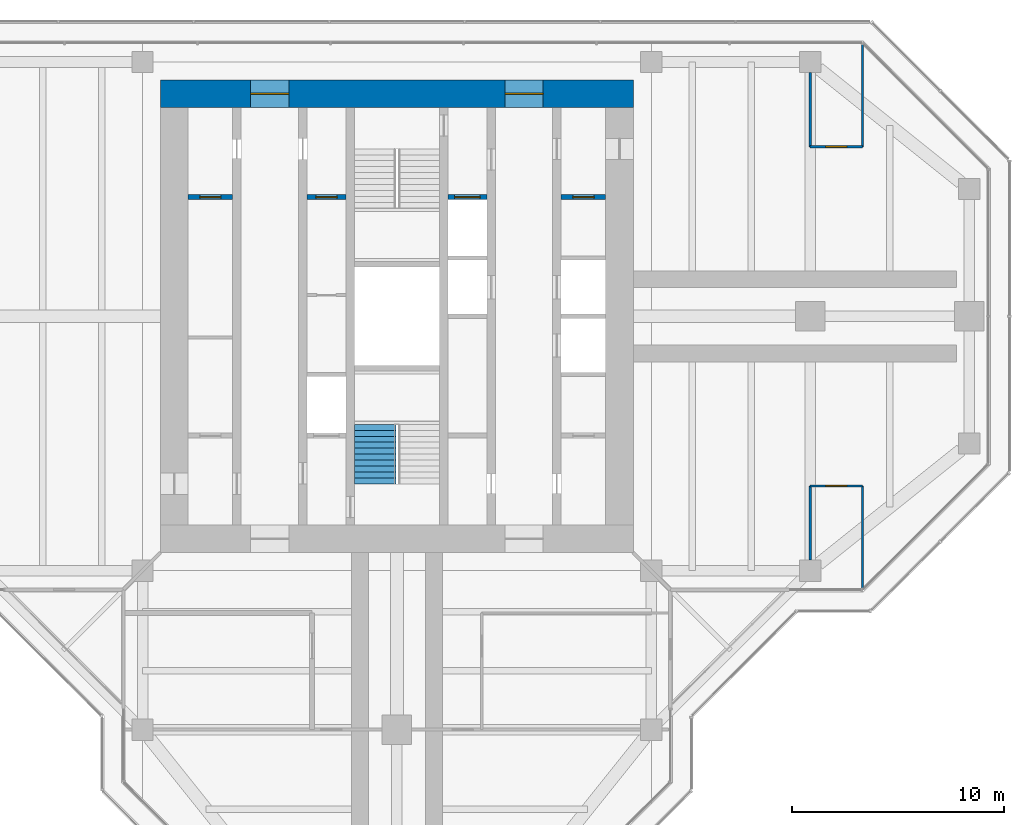
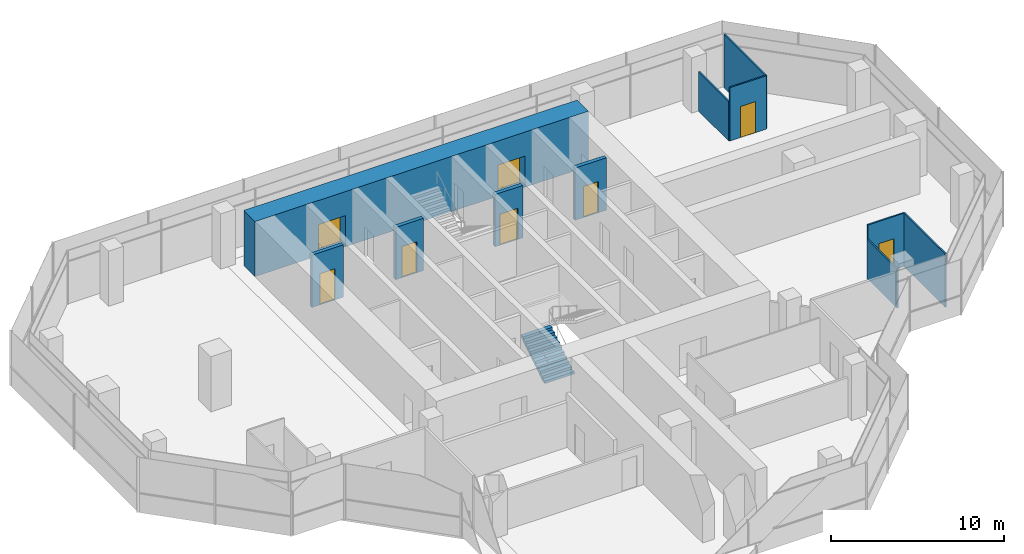
# One storey, part 13 of 15: 11 walls, 8 doors, 1 stair flight, 8 openings, 1 element without a shape of its own.
"""IFC4 building model written with IfcOpenShell, lengths in metres."""

import ifcopenshell
import ifcopenshell.guid

model = None  # the IFC model being written
_history = None  # IfcOwnerHistory: only IFC2X3 demands one
_inside = {}  # id of a spatial element -> (the spatial element, [elements in it])
_under = {}  # id of a project, library or spatial element -> (it, [spatial elements below it])
_declared = {}  # id of a project -> (the project, [libraries it declares])
_typed = {}  # id of a type object -> (the type object, [elements of that type])
_made_of = {}  # id of a material, layer set ... -> (it, [elements and type objects made of it])


def new_model(schema):
    """Start an empty IFC model of exactly this schema.

    Asked for "IFC4X3", IfcOpenShell would pick the latest addendum, in which some entities
    have other attributes; the version numbers below select the first issue.
    IFC2X3 requires an IfcOwnerHistory on every rooted entity: one is made here for all.
    """
    global model, _history
    if schema == "IFC4X3":
        model = ifcopenshell.file(schema_version=(4, 3, 0, 0))
    else:
        model = ifcopenshell.file(schema=schema)
    _inside.clear()
    _under.clear()
    _declared.clear()
    _typed.clear()
    _made_of.clear()
    _history = None
    if model.schema == "IFC2X3":
        org = make("IfcOrganization", Name="unknown")
        user = make(
            "IfcPersonAndOrganization",
            ThePerson=make("IfcPerson", FamilyName="unknown"),
            TheOrganization=org,
        )
        app = make(
            "IfcApplication",
            ApplicationDeveloper=org,
            Version="unknown",
            ApplicationFullName="unknown",
            ApplicationIdentifier="unknown",
        )
        _history = make(
            "IfcOwnerHistory",
            OwningUser=user,
            OwningApplication=app,
            ChangeAction="ADDED",
            CreationDate=0,
        )
    return model


def make(cls, **values):
    """One entity of the class cls with the attributes given. An attribute that is None is left unset."""
    return model.create_entity(
        cls, **{name: value for name, value in values.items() if value is not None}
    )


def rooted(cls, **values):
    """An entity with a GlobalId (a new one), such as an element, a storey or a relation."""
    return make(cls, GlobalId=ifcopenshell.guid.new(), OwnerHistory=_history, **values)


def si_unit(unit_type, name, prefix=None):
    """IfcSIUnit, for example si_unit("LENGTHUNIT", "METRE", prefix="MILLI")."""
    return make("IfcSIUnit", UnitType=unit_type, Prefix=prefix, Name=name)


def assignment(units):
    """IfcUnitAssignment: the units of a project."""
    return None if units is None else make("IfcUnitAssignment", Units=units)


def point(xyz):
    """IfcCartesianPoint."""
    return None if xyz is None else make("IfcCartesianPoint", Coordinates=xyz)


def direction(xyz):
    """IfcDirection."""
    return None if xyz is None else make("IfcDirection", DirectionRatios=xyz)


def frame(location, z_axis=None, x_axis=None):
    """IfcAxis2Placement3D, a coordinate frame: its origin and axes. An axis left out is left unset."""
    return make(
        "IfcAxis2Placement3D",
        Location=point(location),
        Axis=direction(z_axis),
        RefDirection=direction(x_axis),
    )


def frame_2d(location, x_axis=None):
    """IfcAxis2Placement2D, a coordinate frame in the plane: its origin and x axis."""
    return make(
        "IfcAxis2Placement2D", Location=point(location), RefDirection=direction(x_axis)
    )


def origin():
    """The frame at (0, 0, 0) with its axes left unset."""
    return frame((0.0, 0.0, 0.0))


def place(relative_to, where):
    """IfcLocalPlacement: puts the frame where relative to a parent placement (None: the world)."""
    return make(
        "IfcLocalPlacement", PlacementRelTo=relative_to, RelativePlacement=where
    )


def context(
    kind, dimensions, precision=None, world=None, true_north=None, identifier=None
):
    """IfcGeometricRepresentationContext, for example the 3D "Model" context."""
    return make(
        "IfcGeometricRepresentationContext",
        ContextIdentifier=identifier,
        ContextType=kind,
        CoordinateSpaceDimension=dimensions,
        Precision=precision,
        WorldCoordinateSystem=world,
        TrueNorth=true_north,
    )


def subcontext(parent, identifier, kind, view, scale=None):
    """IfcGeometricRepresentationSubContext, for example "Body" below "Model"."""
    return make(
        "IfcGeometricRepresentationSubContext",
        ContextIdentifier=identifier,
        ContextType=kind,
        ParentContext=parent,
        TargetScale=scale,
        TargetView=view,
    )


def project(units=None, contexts=None):
    """IfcProject with its units and contexts."""
    return rooted(
        "IfcProject",
        Name="project",
        RepresentationContexts=contexts,
        UnitsInContext=assignment(units),
    )


def spatial(cls, under=None, at=None, **own):
    """A site, building, storey or space (cls), placed at a placement, below another one or the project."""
    s = rooted(cls, ObjectPlacement=at, **own)
    if under is not None:
        _under.setdefault(under.id(), (under, []))[1].append(s)
    return s


def polyline(points):
    """IfcPolyline through the points."""
    return make("IfcPolyline", Points=[point(p) for p in points])


def profile(cls, at=None, kind="AREA", **sizes):
    """A parametric profile (cls). Its sizes go by their IFC names, for example OverallWidth=200.0."""
    return make(cls, ProfileType=kind, Position=at, **sizes)


def rectangle(**sizes):
    """IfcRectangleProfileDef."""
    return profile("IfcRectangleProfileDef", **sizes)


def outline(outer, holes=None, kind="AREA"):
    """IfcArbitraryClosedProfileDef: a profile drawn as a closed curve; with holes, ...WithVoids."""
    if holes is None:
        return make("IfcArbitraryClosedProfileDef", ProfileType=kind, OuterCurve=outer)
    return make(
        "IfcArbitraryProfileDefWithVoids",
        ProfileType=kind,
        OuterCurve=outer,
        InnerCurves=holes,
    )


def extrude(swept, where, along, depth):
    """IfcExtrudedAreaSolid: the profile swept, set in the frame where, extruded along a direction by depth."""
    return make(
        "IfcExtrudedAreaSolid",
        SweptArea=swept,
        Position=where,
        ExtrudedDirection=direction(along),
        Depth=depth,
    )


def shape(context_of_items, identifier, shape_type, items):
    """IfcShapeRepresentation: the items that make up one representation, for example the "Body"."""
    return make(
        "IfcShapeRepresentation",
        ContextOfItems=context_of_items,
        RepresentationIdentifier=identifier,
        RepresentationType=shape_type,
        Items=items,
    )


def material(Name=None, Category=None):
    """IfcMaterial."""
    return make("IfcMaterial", Name=Name, Category=Category)


def layer(
    of_material, thickness, ventilated=None, Name=None, Category=None, Priority=None
):
    """IfcMaterialLayer: one layer of a wall or slab, of a material (None: an air gap)."""
    return make(
        "IfcMaterialLayer",
        Material=of_material,
        LayerThickness=thickness,
        IsVentilated=ventilated,
        Name=Name,
        Category=Category,
        Priority=Priority,
    )


def layer_set(layers, Name=None):
    """IfcMaterialLayerSet."""
    return make("IfcMaterialLayerSet", MaterialLayers=layers, LayerSetName=Name)


def made_of(thing, what):
    """Note that an element or type object is made of a material, layer set ...; save() writes the relation."""
    if what is not None:
        _made_of.setdefault(what.id(), (what, []))[1].append(thing)
    return thing


def type_object(cls, material=None, **own):
    """A type object (cls), such as IfcWallType, which elements share."""
    return made_of(rooted(cls, **own), material)


def element(
    cls,
    number,
    at=None,
    inside=None,
    cuts=None,
    type_object=None,
    material=None,
    context=None,
    identifier="Body",
    shape_type=None,
    held_by="IfcProductDefinitionShape",
    body=None,
    shapes=None,
    **own,
):
    """One element of the class cls, such as IfcWall. Its Tag is "e" and its number.

    at: its placement. inside: the storey or other place that contains it. cuts: it is an
    opening in that element (IfcRelVoidsElement). A single representation is given by context,
    identifier, shape_type and body (its items); several are given by shapes. held_by: the class
    of the entity that holds the representations. save() writes the other relations.
    """
    e = rooted(cls, Tag="e%d" % number, ObjectPlacement=at, **own)
    if body is not None:
        shapes = [shape(context, identifier, shape_type, body)]
    if shapes is not None:
        e.Representation = make(held_by, Representations=shapes)
    if inside is not None:
        _inside.setdefault(inside.id(), (inside, []))[1].append(e)
    if cuts is not None:
        rooted(
            "IfcRelVoidsElement", RelatingBuildingElement=cuts, RelatedOpeningElement=e
        )
    if type_object is not None:
        _typed.setdefault(type_object.id(), (type_object, []))[1].append(e)
    return made_of(e, material)


def fill(opening, filler):
    """IfcRelFillsElement: the door or window that sits in an opening."""
    return rooted(
        "IfcRelFillsElement",
        RelatingOpeningElement=opening,
        RelatedBuildingElement=filler,
    )


def aggregate(whole, parts):
    """IfcRelAggregates: a whole, such as a stair, and the parts it consists of."""
    return rooted("IfcRelAggregates", RelatingObject=whole, RelatedObjects=parts)


def save(model, path):
    """Write the relations noted so far, then the file.

    IfcRelAggregates (storeys below a building ...), IfcRelContainedInSpatialStructure (elements
    in a storey), IfcRelDefinesByType, IfcRelAssociatesMaterial and IfcRelDeclares: one each for
    every whole, place, type object, material and project.
    """
    for whole, parts in _under.values():
        aggregate(whole, parts)
    for where, things in _inside.values():
        rooted(
            "IfcRelContainedInSpatialStructure",
            RelatedElements=things,
            RelatingStructure=where,
        )
    for kind, things in _typed.values():
        rooted("IfcRelDefinesByType", RelatedObjects=things, RelatingType=kind)
    for what, things in _made_of.values():
        rooted("IfcRelAssociatesMaterial", RelatedObjects=things, RelatingMaterial=what)
    for by, libraries in _declared.values():
        rooted("IfcRelDeclares", RelatingContext=by, RelatedDefinitions=libraries)
    model.write(path)


model = new_model("IFC4")

# Units and contexts
model_context = context("Model", 3, precision=1e-05, world=origin(), true_north=direction((0.0, 1.0)))
body_context = subcontext(model_context, "Body", "Model", "MODEL_VIEW")
ifc_project = project(units=[si_unit("LENGTHUNIT", "METRE"), si_unit("AREAUNIT", "SQUARE_METRE"), si_unit("VOLUMEUNIT", "CUBIC_METRE"), si_unit("PLANEANGLEUNIT", "RADIAN"), si_unit("MASSUNIT", "GRAM", prefix="KILO")], contexts=[model_context])

# Site, building, storey
site_placement = place(None, origin())
site = spatial("IfcSite", under=ifc_project, at=site_placement, CompositionType="ELEMENT")
building_placement = place(site_placement, origin())
building = spatial("IfcBuilding", under=site, at=building_placement, Name="Mizan Broadcast Tower", CompositionType="ELEMENT")
storey_placement = place(building_placement, frame((0.0, 0.0, 279.0)))
storey = spatial("IfcBuildingStorey", under=building, at=storey_placement, Name="L66", CompositionType="ELEMENT", Elevation=279.0)

# Wall, openings, doors
ifc_material_1 = material(Name="Concrete C70/85", Category="concrete")
ifc_layer_1 = layer(ifc_material_1, 1.300048828125)
ifc_layer_set_1 = layer_set([ifc_layer_1], Name="Concrete C70/85")
wall_type_1 = type_object("IfcWallType", Name="CORE WALL 1300", PredefinedType="SHEAR", material=ifc_layer_set_1)
wall_1_placement = place(storey_placement, frame((-11.14990234375, 10.5, 0.0), z_axis=(0.0, 0.0, 1.0), x_axis=(1.0, 0.0, 0.0)))
wall_1 = element("IfcWall", 1, at=wall_1_placement, inside=storey, type_object=wall_type_1, Name="Core wall N L66", PredefinedType="SHEAR", context=body_context, shape_type="SweptSolid", body=[
    extrude(rectangle(XDim=22.2998046875, YDim=1.300048828125, at=frame_2d((11.14990234375, 0.0))), origin(), (0.0, 0.0, 1.0), 3.89990234375),
])
opening_1_placement = place(wall_1_placement, frame((4.25, 0.0, 0.0)))
opening_1 = element("IfcOpeningElement", 2, at=opening_1_placement, cuts=wall_1, Name="Opening D18F", PredefinedType="OPENING", context=body_context, shape_type="SweptSolid", body=[
    extrude(rectangle(XDim=1.800048828125, YDim=2.199951171875, at=frame_2d((0.89990234375, 1.10009765625))), frame((0.0, 0.659912109375, 0.0), z_axis=(0.0, -1.0, 0.0), x_axis=(1.0, 0.0, 0.0)), (0.0, 0.0, 1.0), 1.320068359375),
])
opening_2_placement = place(wall_1_placement, frame((16.25, 0.0, 0.0)))
opening_2 = element("IfcOpeningElement", 3, at=opening_2_placement, cuts=wall_1, Name="Opening D18F", PredefinedType="OPENING", context=body_context, shape_type="SweptSolid", body=[
    extrude(rectangle(XDim=1.800048828125, YDim=2.199951171875, at=frame_2d((0.89990234375, 1.10009765625))), frame((0.0, 0.659912109375, 0.0), z_axis=(0.0, -1.0, 0.0), x_axis=(1.0, 0.0, 0.0)), (0.0, 0.0, 1.0), 1.320068359375),
])
ifc_material_2 = material(Name="Steel door leaf in steel frame", Category="steel")
door_type_1 = type_object("IfcDoorType", Name="LOBBY DOUBLE DOOR 1800 FD90", OperationType="DOUBLE_DOOR_DOUBLE_SWING", PredefinedType="DOOR", material=ifc_material_2)
door_1_placement = place(opening_1_placement, origin())
door_1 = element("IfcDoor", 4, at=door_1_placement, inside=storey, type_object=door_type_1, Name="West lift lobby north door", OperationType="DOUBLE_DOOR_DOUBLE_SWING", OverallHeight=2.199951171875, OverallWidth=1.800048828125, PredefinedType="DOOR", context=body_context, shape_type="SweptSolid", body=[
    extrude(rectangle(XDim=1.800048828125, YDim=2.199951171875, at=frame_2d((0.89990234375, 1.10009765625))), frame((0.0, 0.02490234375, 0.0), z_axis=(0.0, -1.0, 0.0), x_axis=(1.0, 0.0, 0.0)), (0.0, 0.0, 1.0), 0.050048828125),
])
fill(opening_1, door_1)
door_2_placement = place(opening_2_placement, origin())
door_2 = element("IfcDoor", 5, at=door_2_placement, inside=storey, type_object=door_type_1, Name="East lift lobby north door", OperationType="DOUBLE_DOOR_DOUBLE_SWING", OverallHeight=2.199951171875, OverallWidth=1.800048828125, PredefinedType="DOOR", context=body_context, shape_type="SweptSolid", body=[
    extrude(rectangle(XDim=1.800048828125, YDim=2.199951171875, at=frame_2d((0.89990234375, 1.10009765625))), frame((0.0, 0.02490234375, 0.0), z_axis=(0.0, -1.0, 0.0), x_axis=(1.0, 0.0, 0.0)), (0.0, 0.0, 1.0), 0.050048828125),
])
fill(opening_2, door_2)

# Wall, opening, door
ifc_material_3 = material(Name="Concrete blockwork", Category="masonry")
ifc_layer_2 = layer(ifc_material_3, 0.25)
ifc_layer_set_2 = layer_set([ifc_layer_2], Name="Concrete blockwork")
wall_type_2 = type_object("IfcWallType", Name="LOBBY ENCLOSURE WALL 250", PredefinedType="SOLIDWALL", material=ifc_layer_set_2)
wall_2_placement = place(storey_placement, frame((-9.85009765625, 5.625, 0.0), z_axis=(0.0, 0.0, 1.0), x_axis=(1.0, 0.0, 0.0)))
wall_2 = element("IfcWall", 6, at=wall_2_placement, inside=storey, type_object=wall_type_2, Name="Lobby enclosure wall CORE/BW1N", PredefinedType="SOLIDWALL", context=body_context, shape_type="SweptSolid", body=[
    extrude(rectangle(XDim=2.10009765625, YDim=0.25, at=frame_2d((1.050048828125, 0.0))), origin(), (0.0, 0.0, 1.0), 3.699951171875),
])
opening_3_placement = place(wall_2_placement, frame((0.550048828125, 0.0, 0.0)))
opening_3 = element("IfcOpeningElement", 7, at=opening_3_placement, cuts=wall_2, Name="Opening D10F", PredefinedType="OPENING", context=body_context, shape_type="SweptSolid", body=[
    extrude(rectangle(XDim=1.0, YDim=2.199951171875, at=frame_2d((0.5, 1.10009765625))), frame((0.0, 0.135009765625, 0.0), z_axis=(0.0, -1.0, 0.0), x_axis=(1.0, 0.0, 0.0)), (0.0, 0.0, 1.0), 0.27001953125),
])
ifc_material_4 = material(Name="Steel door leaf in steel frame", Category="steel")
door_type_2 = type_object("IfcDoorType", Name="FIRE DOOR 1000 FD90", OperationType="SINGLE_SWING_LEFT", PredefinedType="DOOR", material=ifc_material_4)
door_3_placement = place(opening_3_placement, origin())
door_3 = element("IfcDoor", 8, at=door_3_placement, inside=storey, type_object=door_type_2, Name="Staff changing room door", OperationType="SINGLE_SWING_RIGHT", OverallHeight=2.199951171875, OverallWidth=1.0, PredefinedType="DOOR", context=body_context, shape_type="SweptSolid", body=[
    extrude(rectangle(XDim=1.0, YDim=2.199951171875, at=frame_2d((0.5, 1.10009765625))), frame((0.0, 0.02490234375, 0.0), z_axis=(0.0, -1.0, 0.0), x_axis=(1.0, 0.0, 0.0)), (0.0, 0.0, 1.0), 0.050048828125),
])
fill(opening_3, door_3)

wall_3_placement = place(storey_placement, frame((-4.25, 5.625, 0.0), z_axis=(0.0, 0.0, 1.0), x_axis=(1.0, 0.0, 0.0)))
wall_3 = element("IfcWall", 9, at=wall_3_placement, inside=storey, type_object=wall_type_2, Name="Lobby enclosure wall CORE/BW2N", PredefinedType="SOLIDWALL", context=body_context, shape_type="SweptSolid", body=[
    extrude(rectangle(XDim=1.85009765625, YDim=0.25, at=frame_2d((0.925048828125, 0.0))), origin(), (0.0, 0.0, 1.0), 3.699951171875),
])
opening_4_placement = place(wall_3_placement, frame((0.425048828125, 0.0, 0.0)))
opening_4 = element("IfcOpeningElement", 10, at=opening_4_placement, cuts=wall_3, Name="Opening D10F", PredefinedType="OPENING", context=body_context, shape_type="SweptSolid", body=[
    extrude(rectangle(XDim=1.0, YDim=2.199951171875, at=frame_2d((0.5, 1.10009765625))), frame((0.0, 0.135009765625, 0.0), z_axis=(0.0, -1.0, 0.0), x_axis=(1.0, 0.0, 0.0)), (0.0, 0.0, 1.0), 0.27001953125),
])
door_4_placement = place(opening_4_placement, origin())
door_4 = element("IfcDoor", 11, at=door_4_placement, inside=storey, type_object=door_type_2, Name="Baby change room door", OperationType="SINGLE_SWING_RIGHT", OverallHeight=2.199951171875, OverallWidth=1.0, PredefinedType="DOOR", context=body_context, shape_type="SweptSolid", body=[
    extrude(rectangle(XDim=1.0, YDim=2.199951171875, at=frame_2d((0.5, 1.10009765625))), frame((0.0, 0.02490234375, 0.0), z_axis=(0.0, -1.0, 0.0), x_axis=(1.0, 0.0, 0.0)), (0.0, 0.0, 1.0), 0.050048828125),
])
fill(opening_4, door_4)

wall_4_placement = place(storey_placement, frame((2.39990234375, 5.625, 0.0), z_axis=(0.0, 0.0, 1.0), x_axis=(1.0, 0.0, 0.0)))
wall_4 = element("IfcWall", 12, at=wall_4_placement, inside=storey, type_object=wall_type_2, Name="Lobby enclosure wall CORE/BE2N", PredefinedType="SOLIDWALL", context=body_context, shape_type="SweptSolid", body=[
    extrude(rectangle(XDim=1.85009765625, YDim=0.25, at=frame_2d((0.925048828125, 0.0))), origin(), (0.0, 0.0, 1.0), 3.699951171875),
])
opening_5_placement = place(wall_4_placement, frame((0.324951171875, 0.0, 0.0)))
opening_5 = element("IfcOpeningElement", 13, at=opening_5_placement, cuts=wall_4, Name="Opening LDF", PredefinedType="OPENING", context=body_context, shape_type="SweptSolid", body=[
    extrude(rectangle(XDim=1.199951171875, YDim=2.199951171875, at=frame_2d((0.60009765625, 1.10009765625))), frame((0.0, 0.135009765625, 0.0), z_axis=(0.0, -1.0, 0.0), x_axis=(1.0, 0.0, 0.0)), (0.0, 0.0, 1.0), 0.27001953125),
])
ifc_material_5 = material(Name="Steel door leaf in steel frame", Category="steel")
door_type_3 = type_object("IfcDoorType", Name="FIREFIGHTING LIFT LANDING DOOR 1200", OperationType="SLIDING_TO_LEFT", PredefinedType="DOOR", material=ifc_material_5)
door_5_placement = place(opening_5_placement, origin())
door_5 = element("IfcDoor", 14, at=door_5_placement, inside=storey, type_object=door_type_3, Name="Landing door FF2", OperationType="SLIDING_TO_LEFT", OverallHeight=2.199951171875, OverallWidth=1.199951171875, PredefinedType="DOOR", context=body_context, shape_type="SweptSolid", body=[
    extrude(rectangle(XDim=1.199951171875, YDim=2.199951171875, at=frame_2d((0.60009765625, 1.10009765625))), frame((0.0, 0.02490234375, 0.0), z_axis=(0.0, -1.0, 0.0), x_axis=(1.0, 0.0, 0.0)), (0.0, 0.0, 1.0), 0.050048828125),
])
fill(opening_5, door_5)

wall_5_placement = place(storey_placement, frame((7.75, 5.625, 0.0), z_axis=(0.0, 0.0, 1.0), x_axis=(1.0, 0.0, 0.0)))
wall_5 = element("IfcWall", 15, at=wall_5_placement, inside=storey, type_object=wall_type_2, Name="Lobby enclosure wall CORE/BE1N", PredefinedType="SOLIDWALL", context=body_context, shape_type="SweptSolid", body=[
    extrude(rectangle(XDim=2.10009765625, YDim=0.25, at=frame_2d((1.050048828125, 0.0))), origin(), (0.0, 0.0, 1.0), 3.699951171875),
])
opening_6_placement = place(wall_5_placement, frame((0.550048828125, 0.0, 0.0)))
opening_6 = element("IfcOpeningElement", 16, at=opening_6_placement, cuts=wall_5, Name="Opening D10F", PredefinedType="OPENING", context=body_context, shape_type="SweptSolid", body=[
    extrude(rectangle(XDim=1.0, YDim=2.199951171875, at=frame_2d((0.5, 1.10009765625))), frame((0.0, 0.135009765625, 0.0), z_axis=(0.0, -1.0, 0.0), x_axis=(1.0, 0.0, 0.0)), (0.0, 0.0, 1.0), 0.27001953125),
])
door_6_placement = place(opening_6_placement, origin())
door_6 = element("IfcDoor", 17, at=door_6_placement, inside=storey, type_object=door_type_2, Name="Building management office door", OperationType="SINGLE_SWING_LEFT", OverallHeight=2.199951171875, OverallWidth=1.0, PredefinedType="DOOR", context=body_context, shape_type="SweptSolid", body=[
    extrude(rectangle(XDim=1.0, YDim=2.199951171875, at=frame_2d((0.5, 1.10009765625))), frame((0.0, 0.02490234375, 0.0), z_axis=(0.0, -1.0, 0.0), x_axis=(1.0, 0.0, 0.0)), (0.0, 0.0, 1.0), 0.050048828125),
])
fill(opening_6, door_6)

ifc_material_6 = material(Name="Glazed aluminium partition on aluminium track", Category="aluminium")
ifc_layer_3 = layer(ifc_material_6, 0.10009765625)
ifc_layer_set_3 = layer_set([ifc_layer_3], Name="Glazed aluminium partition on aluminium track")
wall_type_3 = type_object("IfcWallType", Name="PARTITION GLAZED OFFICE FRONT 100", PredefinedType="PARTITIONING", material=ifc_layer_set_3)
wall_6_placement = place(storey_placement, frame((19.5, 8.0, 0.0), z_axis=(0.0, 0.0, 1.0), x_axis=(1.0, 0.0, 0.0)))
wall_6 = element("IfcWall", 18, at=wall_6_placement, inside=storey, type_object=wall_type_3, Name="Glazed office front PT/ECP0", PredefinedType="PARTITIONING", context=body_context, shape_type="SweptSolid", body=[
    extrude(rectangle(XDim=2.458984375, YDim=0.10009765625, at=frame_2d((1.2294921875, 0.0))), origin(), (0.0, 0.0, 1.0), 3.77001953125),
])
opening_7_placement = place(wall_6_placement, frame((0.7294921875, 0.0, 0.0)))
opening_7 = element("IfcOpeningElement", 19, at=opening_7_placement, cuts=wall_6, Name="Opening D10O", PredefinedType="OPENING", context=body_context, shape_type="SweptSolid", body=[
    extrude(rectangle(XDim=1.0, YDim=2.199951171875, at=frame_2d((0.5, 1.10009765625))), frame((0.0, 0.06005859375, 0.0), z_axis=(0.0, -1.0, 0.0), x_axis=(1.0, 0.0, 0.0)), (0.0, 0.0, 1.0), 0.1201171875),
])
ifc_material_7 = material(Name="Timber door leaf in aluminium frame", Category="wood")
door_type_4 = type_object("IfcDoorType", Name="OFFICE DOOR 1000 GLAZED", OperationType="SINGLE_SWING_LEFT", PredefinedType="DOOR", material=ifc_material_7)
door_7_placement = place(opening_7_placement, origin())
door_7 = element("IfcDoor", 20, at=door_7_placement, inside=storey, type_object=door_type_4, Name="Director's office door", OperationType="SINGLE_SWING_LEFT", OverallHeight=2.199951171875, OverallWidth=1.0, PredefinedType="DOOR", context=body_context, shape_type="SweptSolid", body=[
    extrude(rectangle(XDim=1.0, YDim=2.199951171875, at=frame_2d((0.5, 1.10009765625))), frame((0.0, 0.02490234375, 0.0), z_axis=(0.0, -1.0, 0.0), x_axis=(1.0, 0.0, 0.0)), (0.0, 0.0, 1.0), 0.050048828125),
])
fill(opening_7, door_7)

# Walls
wall_7_placement = place(storey_placement, frame((19.5, 8.0, 0.0), z_axis=(0.0, 0.0, 1.0), x_axis=(0.0, 1.0, 0.0)))
element("IfcWall", 21, at=wall_7_placement, inside=storey, type_object=wall_type_3, Name="Glazed office front PT/EQP1950", PredefinedType="PARTITIONING", context=body_context, shape_type="SweptSolid", body=[
    extrude(rectangle(XDim=3.5, YDim=0.10009765625, at=frame_2d((1.75, 0.0))), origin(), (0.0, 0.0, 1.0), 2.77001953125),
])
wall_8_placement = place(storey_placement, frame((21.958984375, 8.0, 0.0), z_axis=(0.0, 0.0, 1.0), x_axis=(0.0, 1.0, 0.0)))
element("IfcWall", 22, at=wall_8_placement, inside=storey, type_object=wall_type_3, Name="Glazed office front PT/EQP2196", PredefinedType="PARTITIONING", context=body_context, shape_type="SweptSolid", body=[
    extrude(rectangle(XDim=4.820068359375, YDim=0.10009765625, at=frame_2d((2.41015625, 0.0))), origin(), (0.0, 0.0, 1.0), 3.77001953125),
])

# Wall, opening, door
wall_9_placement = place(storey_placement, frame((19.5, -8.0, 0.0), z_axis=(0.0, 0.0, 1.0), x_axis=(1.0, 0.0, 0.0)))
wall_9 = element("IfcWall", 23, at=wall_9_placement, inside=storey, type_object=wall_type_3, Name="Glazed office front PT/ECN0", PredefinedType="PARTITIONING", context=body_context, shape_type="SweptSolid", body=[
    extrude(rectangle(XDim=2.458984375, YDim=0.10009765625, at=frame_2d((1.2294921875, 0.0))), origin(), (0.0, 0.0, 1.0), 3.77001953125),
])
opening_8_placement = place(wall_9_placement, frame((0.7294921875, 0.0, 0.0)))
opening_8 = element("IfcOpeningElement", 24, at=opening_8_placement, cuts=wall_9, Name="Opening D10O", PredefinedType="OPENING", context=body_context, shape_type="SweptSolid", body=[
    extrude(rectangle(XDim=1.0, YDim=2.199951171875, at=frame_2d((0.5, 1.10009765625))), frame((0.0, 0.06005859375, 0.0), z_axis=(0.0, -1.0, 0.0), x_axis=(1.0, 0.0, 0.0)), (0.0, 0.0, 1.0), 0.1201171875),
])
door_8_placement = place(opening_8_placement, origin())
door_8 = element("IfcDoor", 25, at=door_8_placement, inside=storey, type_object=door_type_4, Name="Director's office door", OperationType="SINGLE_SWING_LEFT", OverallHeight=2.199951171875, OverallWidth=1.0, PredefinedType="DOOR", context=body_context, shape_type="SweptSolid", body=[
    extrude(rectangle(XDim=1.0, YDim=2.199951171875, at=frame_2d((0.5, 1.10009765625))), frame((0.0, 0.02490234375, 0.0), z_axis=(0.0, -1.0, 0.0), x_axis=(1.0, 0.0, 0.0)), (0.0, 0.0, 1.0), 0.050048828125),
])
fill(opening_8, door_8)

# Walls
wall_10_placement = place(storey_placement, frame((19.5, -8.0, 0.0), z_axis=(0.0, 0.0, 1.0), x_axis=(0.0, -1.0, 0.0)))
element("IfcWall", 26, at=wall_10_placement, inside=storey, type_object=wall_type_3, Name="Glazed office front PT/EQN1950", PredefinedType="PARTITIONING", context=body_context, shape_type="SweptSolid", body=[
    extrude(rectangle(XDim=3.5, YDim=0.10009765625, at=frame_2d((1.75, 0.0))), origin(), (0.0, 0.0, 1.0), 2.77001953125),
])
wall_11_placement = place(storey_placement, frame((21.958984375, -8.0, 0.0), z_axis=(0.0, 0.0, 1.0), x_axis=(0.0, -1.0, 0.0)))
element("IfcWall", 27, at=wall_11_placement, inside=storey, type_object=wall_type_3, Name="Glazed office front PT/EQN2196", PredefinedType="PARTITIONING", context=body_context, shape_type="SweptSolid", body=[
    extrude(rectangle(XDim=4.820068359375, YDim=0.10009765625, at=frame_2d((2.41015625, 0.0))), origin(), (0.0, 0.0, 1.0), 3.77001953125),
])

# Stair, stair flight
ifc_material_8 = material(Name="Concrete C40/50", Category="concrete")
stair_type = type_object("IfcStairType", Name="EXIT STAIR", PredefinedType="HALF_TURN_STAIR", material=ifc_material_8)
stair_placement = place(storey_placement, origin())
stair = element("IfcStair", 28, at=stair_placement, inside=storey, type_object=stair_type, Name="Stair A L66", PredefinedType="HALF_TURN_STAIR")
ifc_material_9 = material(Name="Concrete C40/50", Category="concrete")
stair_flight_type = type_object("IfcStairFlightType", Name="EXIT STAIR FLIGHT", PredefinedType="STRAIGHT", material=ifc_material_9)
stair_flight_placement = place(storey_placement, frame((-1.02490234375, -7.89990234375, 0.0), z_axis=(0.0, 0.0, 1.0), x_axis=(0.0, 1.0, 0.0)))
stair_flight = element("IfcStairFlight", 29, at=stair_flight_placement, type_object=stair_flight_type, Name="A flight 1", NumberOfRisers=11, NumberOfTreads=10, PredefinedType="STRAIGHT", RiserHeight=0.177272727, TreadLength=0.28, context=body_context, shape_type="SweptSolid", body=[
    extrude(outline(polyline([(0.0, 0.0), (0.0, 0.17724609375), (0.280029296875, 0.17724609375), (0.280029296875, 0.3544921875), (0.56005859375, 0.3544921875), (0.56005859375, 0.53173828125), (0.840087890625, 0.53173828125), (0.840087890625, 0.708984375), (1.1201171875, 0.708984375), (1.1201171875, 0.886474609375), (1.39990234375, 0.886474609375), (1.39990234375, 1.063720703125), (1.679931640625, 1.063720703125), (1.679931640625, 1.240966796875), (1.9599609375, 1.240966796875), (1.9599609375, 1.418212890625), (2.239990234375, 1.418212890625), (2.239990234375, 1.595458984375), (2.52001953125, 1.595458984375), (2.52001953125, 1.772705078125), (2.800048828125, 1.772705078125), (2.800048828125, 1.949951171875), (2.800048828125, 1.59521484375), (0.2802734375, 0.0), (0.0, 0.0)])), frame((0.0, 0.97509765625, 0.0), z_axis=(0.0, -1.0, 0.0), x_axis=(1.0, 0.0, 0.0)), (0.0, 0.0, 1.0), 0.4873046875),
    extrude(outline(polyline([(0.0, 0.0), (0.0, 0.17724609375), (0.280029296875, 0.17724609375), (0.280029296875, 0.3544921875), (0.56005859375, 0.3544921875), (0.56005859375, 0.53173828125), (0.840087890625, 0.53173828125), (0.840087890625, 0.708984375), (1.1201171875, 0.708984375), (1.1201171875, 0.886474609375), (1.39990234375, 0.886474609375), (1.39990234375, 1.063720703125), (1.679931640625, 1.063720703125), (1.679931640625, 1.240966796875), (1.9599609375, 1.240966796875), (1.9599609375, 1.418212890625), (2.239990234375, 1.418212890625), (2.239990234375, 1.595458984375), (2.52001953125, 1.595458984375), (2.52001953125, 1.772705078125), (2.800048828125, 1.772705078125), (2.800048828125, 1.949951171875), (2.800048828125, 1.59521484375), (0.2802734375, 0.0), (0.0, 0.0)])), frame((0.0, 0.4873046875, 0.0), z_axis=(0.0, -1.0, 0.0), x_axis=(1.0, 0.0, 0.0)), (0.0, 0.0, 1.0), 0.2431640625),
    extrude(outline(polyline([(0.0, 0.0), (0.0, 0.17724609375), (0.280029296875, 0.17724609375), (0.280029296875, 0.3544921875), (0.56005859375, 0.3544921875), (0.56005859375, 0.53173828125), (0.840087890625, 0.53173828125), (0.840087890625, 0.708984375), (1.1201171875, 0.708984375), (1.1201171875, 0.886474609375), (1.39990234375, 0.886474609375), (1.39990234375, 1.063720703125), (1.679931640625, 1.063720703125), (1.679931640625, 1.240966796875), (1.9599609375, 1.240966796875), (1.9599609375, 1.418212890625), (2.239990234375, 1.418212890625), (2.239990234375, 1.595458984375), (2.52001953125, 1.595458984375), (2.52001953125, 1.772705078125), (2.800048828125, 1.772705078125), (2.800048828125, 1.949951171875), (2.800048828125, 1.59521484375), (0.2802734375, 0.0), (0.0, 0.0)])), frame((0.0, 0.24365234375, 0.0), z_axis=(0.0, -1.0, 0.0), x_axis=(1.0, 0.0, 0.0)), (0.0, 0.0, 1.0), 0.121337890625),
    extrude(outline(polyline([(0.0, 0.0), (0.0, 0.17724609375), (0.280029296875, 0.17724609375), (0.280029296875, 0.3544921875), (0.56005859375, 0.3544921875), (0.56005859375, 0.53173828125), (0.840087890625, 0.53173828125), (0.840087890625, 0.708984375), (1.1201171875, 0.708984375), (1.1201171875, 0.886474609375), (1.39990234375, 0.886474609375), (1.39990234375, 1.063720703125), (1.679931640625, 1.063720703125), (1.679931640625, 1.240966796875), (1.9599609375, 1.240966796875), (1.9599609375, 1.418212890625), (2.239990234375, 1.418212890625), (2.239990234375, 1.595458984375), (2.52001953125, 1.595458984375), (2.52001953125, 1.772705078125), (2.800048828125, 1.772705078125), (2.800048828125, 1.949951171875), (2.800048828125, 1.59521484375), (0.2802734375, 0.0), (0.0, 0.0)])), frame((0.0, 0.121826171875, 0.0), z_axis=(0.0, -1.0, 0.0), x_axis=(1.0, 0.0, 0.0)), (0.0, 0.0, 1.0), 0.060546875),
    extrude(outline(polyline([(0.0, 0.0), (0.0, 0.17724609375), (0.280029296875, 0.17724609375), (0.280029296875, 0.3544921875), (0.56005859375, 0.3544921875), (0.56005859375, 0.53173828125), (0.840087890625, 0.53173828125), (0.840087890625, 0.708984375), (1.1201171875, 0.708984375), (1.1201171875, 0.886474609375), (1.39990234375, 0.886474609375), (1.39990234375, 1.063720703125), (1.679931640625, 1.063720703125), (1.679931640625, 1.240966796875), (1.9599609375, 1.240966796875), (1.9599609375, 1.418212890625), (2.239990234375, 1.418212890625), (2.239990234375, 1.595458984375), (2.52001953125, 1.595458984375), (2.52001953125, 1.772705078125), (2.800048828125, 1.772705078125), (2.800048828125, 1.949951171875), (2.800048828125, 1.59521484375), (0.2802734375, 0.0), (0.0, 0.0)])), frame((0.0, 0.060791015625, 0.0), z_axis=(0.0, -1.0, 0.0), x_axis=(1.0, 0.0, 0.0)), (0.0, 0.0, 1.0), 0.030029296875),
    extrude(outline(polyline([(0.0, 0.0), (0.0, 0.17724609375), (0.280029296875, 0.17724609375), (0.280029296875, 0.3544921875), (0.56005859375, 0.3544921875), (0.56005859375, 0.53173828125), (0.840087890625, 0.53173828125), (0.840087890625, 0.708984375), (1.1201171875, 0.708984375), (1.1201171875, 0.886474609375), (1.39990234375, 0.886474609375), (1.39990234375, 1.063720703125), (1.679931640625, 1.063720703125), (1.679931640625, 1.240966796875), (1.9599609375, 1.240966796875), (1.9599609375, 1.418212890625), (2.239990234375, 1.418212890625), (2.239990234375, 1.595458984375), (2.52001953125, 1.595458984375), (2.52001953125, 1.772705078125), (2.800048828125, 1.772705078125), (2.800048828125, 1.949951171875), (2.800048828125, 1.59521484375), (0.2802734375, 0.0), (0.0, 0.0)])), frame((0.0, 0.0302734375, 0.0), z_axis=(0.0, -1.0, 0.0), x_axis=(1.0, 0.0, 0.0)), (0.0, 0.0, 1.0), 0.060302734375),
    extrude(outline(polyline([(0.0, 0.0), (0.0, 0.17724609375), (0.280029296875, 0.17724609375), (0.280029296875, 0.3544921875), (0.56005859375, 0.3544921875), (0.56005859375, 0.53173828125), (0.840087890625, 0.53173828125), (0.840087890625, 0.708984375), (1.1201171875, 0.708984375), (1.1201171875, 0.886474609375), (1.39990234375, 0.886474609375), (1.39990234375, 1.063720703125), (1.679931640625, 1.063720703125), (1.679931640625, 1.240966796875), (1.9599609375, 1.240966796875), (1.9599609375, 1.418212890625), (2.239990234375, 1.418212890625), (2.239990234375, 1.595458984375), (2.52001953125, 1.595458984375), (2.52001953125, 1.772705078125), (2.800048828125, 1.772705078125), (2.800048828125, 1.949951171875), (2.800048828125, 1.59521484375), (0.2802734375, 0.0), (0.0, 0.0)])), frame((0.0, -0.030517578125, 0.0), z_axis=(0.0, -1.0, 0.0), x_axis=(1.0, 0.0, 0.0)), (0.0, 0.0, 1.0), 0.030029296875),
    extrude(outline(polyline([(0.0, 0.0), (0.0, 0.17724609375), (0.280029296875, 0.17724609375), (0.280029296875, 0.3544921875), (0.56005859375, 0.3544921875), (0.56005859375, 0.53173828125), (0.840087890625, 0.53173828125), (0.840087890625, 0.708984375), (1.1201171875, 0.708984375), (1.1201171875, 0.886474609375), (1.39990234375, 0.886474609375), (1.39990234375, 1.063720703125), (1.679931640625, 1.063720703125), (1.679931640625, 1.240966796875), (1.9599609375, 1.240966796875), (1.9599609375, 1.418212890625), (2.239990234375, 1.418212890625), (2.239990234375, 1.595458984375), (2.52001953125, 1.595458984375), (2.52001953125, 1.772705078125), (2.800048828125, 1.772705078125), (2.800048828125, 1.949951171875), (2.800048828125, 1.59521484375), (0.2802734375, 0.0), (0.0, 0.0)])), frame((0.0, -0.06103515625, 0.0), z_axis=(0.0, -1.0, 0.0), x_axis=(1.0, 0.0, 0.0)), (0.0, 0.0, 1.0), 0.060546875),
    extrude(outline(polyline([(0.0, 0.0), (0.0, 0.17724609375), (0.280029296875, 0.17724609375), (0.280029296875, 0.3544921875), (0.56005859375, 0.3544921875), (0.56005859375, 0.53173828125), (0.840087890625, 0.53173828125), (0.840087890625, 0.708984375), (1.1201171875, 0.708984375), (1.1201171875, 0.886474609375), (1.39990234375, 0.886474609375), (1.39990234375, 1.063720703125), (1.679931640625, 1.063720703125), (1.679931640625, 1.240966796875), (1.9599609375, 1.240966796875), (1.9599609375, 1.418212890625), (2.239990234375, 1.418212890625), (2.239990234375, 1.595458984375), (2.52001953125, 1.595458984375), (2.52001953125, 1.772705078125), (2.800048828125, 1.772705078125), (2.800048828125, 1.949951171875), (2.800048828125, 1.59521484375), (0.2802734375, 0.0), (0.0, 0.0)])), frame((0.0, -0.1220703125, 0.0), z_axis=(0.0, -1.0, 0.0), x_axis=(1.0, 0.0, 0.0)), (0.0, 0.0, 1.0), 0.121337890625),
    extrude(outline(polyline([(0.0, 0.0), (0.0, 0.17724609375), (0.280029296875, 0.17724609375), (0.280029296875, 0.3544921875), (0.56005859375, 0.3544921875), (0.56005859375, 0.53173828125), (0.840087890625, 0.53173828125), (0.840087890625, 0.708984375), (1.1201171875, 0.708984375), (1.1201171875, 0.886474609375), (1.39990234375, 0.886474609375), (1.39990234375, 1.063720703125), (1.679931640625, 1.063720703125), (1.679931640625, 1.240966796875), (1.9599609375, 1.240966796875), (1.9599609375, 1.418212890625), (2.239990234375, 1.418212890625), (2.239990234375, 1.595458984375), (2.52001953125, 1.595458984375), (2.52001953125, 1.772705078125), (2.800048828125, 1.772705078125), (2.800048828125, 1.949951171875), (2.800048828125, 1.59521484375), (0.2802734375, 0.0), (0.0, 0.0)])), frame((0.0, -0.243896484375, 0.0), z_axis=(0.0, -1.0, 0.0), x_axis=(1.0, 0.0, 0.0)), (0.0, 0.0, 1.0), 0.2431640625),
    extrude(outline(polyline([(0.0, 0.0), (0.0, 0.17724609375), (0.280029296875, 0.17724609375), (0.280029296875, 0.3544921875), (0.56005859375, 0.3544921875), (0.56005859375, 0.53173828125), (0.840087890625, 0.53173828125), (0.840087890625, 0.708984375), (1.1201171875, 0.708984375), (1.1201171875, 0.886474609375), (1.39990234375, 0.886474609375), (1.39990234375, 1.063720703125), (1.679931640625, 1.063720703125), (1.679931640625, 1.240966796875), (1.9599609375, 1.240966796875), (1.9599609375, 1.418212890625), (2.239990234375, 1.418212890625), (2.239990234375, 1.595458984375), (2.52001953125, 1.595458984375), (2.52001953125, 1.772705078125), (2.800048828125, 1.772705078125), (2.800048828125, 1.949951171875), (2.800048828125, 1.59521484375), (0.2802734375, 0.0), (0.0, 0.0)])), frame((0.0, -0.487548828125, 0.0), z_axis=(0.0, -1.0, 0.0), x_axis=(1.0, 0.0, 0.0)), (0.0, 0.0, 1.0), 0.4873046875),
])
aggregate(stair, [stair_flight])

save(model, "model.ifc")
